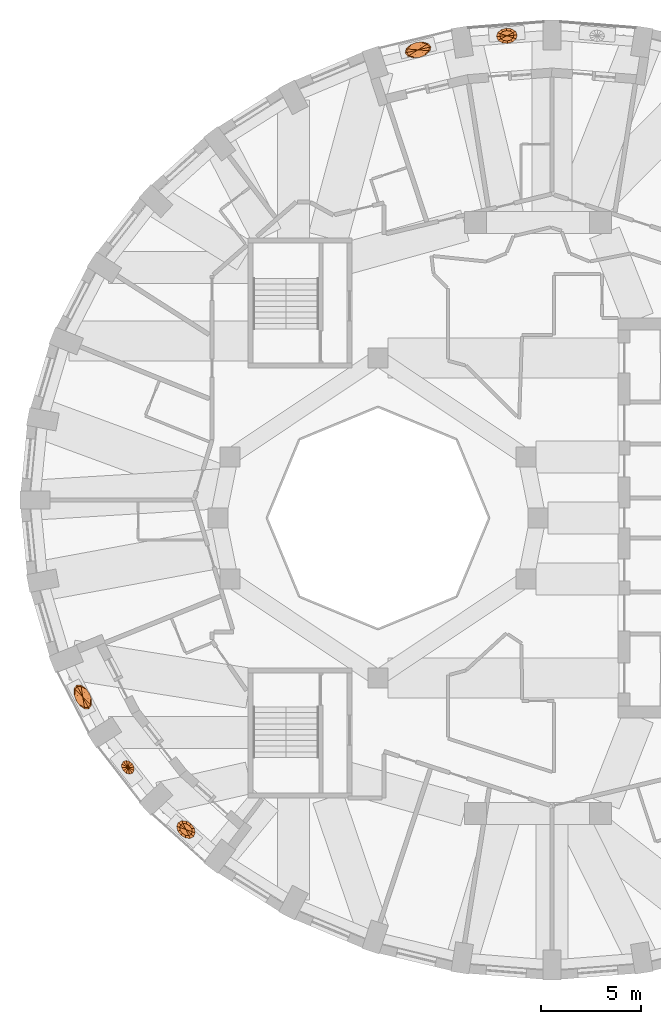
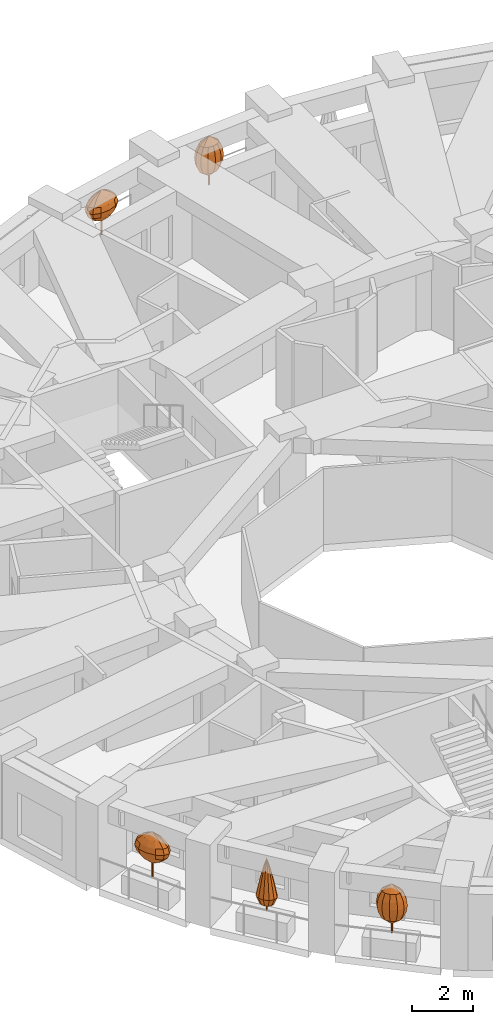
# One storey, part 11 of 12: 5 geographic elements.
"""IFC4 building model written with IfcOpenShell, lengths in metres."""

from ifc_helpers import new_model, si_unit, direction, frame, origin, place, context, subcontext, project, spatial, faceted_brep, material, constituent, constituent_set, type_object, element, save


model = new_model("IFC4")

# Units and contexts
model_context = context("Model", 3, precision=1e-05, world=origin(), true_north=direction((0.0, 1.0)))
body_context = subcontext(model_context, "Body", "Model", "MODEL_VIEW")
ifc_project = project(units=[si_unit("LENGTHUNIT", "METRE"), si_unit("AREAUNIT", "SQUARE_METRE"), si_unit("VOLUMEUNIT", "CUBIC_METRE"), si_unit("PLANEANGLEUNIT", "RADIAN"), si_unit("MASSUNIT", "GRAM", prefix="KILO")], contexts=[model_context])

# Site, building, storey
site_placement = place(None, origin())
site = spatial("IfcSite", under=ifc_project, at=site_placement, CompositionType="ELEMENT")
building_placement = place(site_placement, origin())
building = spatial("IfcBuilding", under=site, at=building_placement, Name="Taillehof Tower", CompositionType="ELEMENT")
storey_placement = place(building_placement, frame((0.0, 0.0, 222.199951171875)))
storey = spatial("IfcBuildingStorey", under=building, at=storey_placement, Name="L63", CompositionType="ELEMENT", Elevation=222.199951171875)

# Geographic elements
ifc_material_1 = material(Name="Tree bark", Category="timber")
ifc_constituent_1 = constituent(ifc_material_1, Name="Trunk", Category="timber")
ifc_material_2 = material(Name="Tree foliage")
ifc_constituent_2 = constituent(ifc_material_2, Name="Crown")
ifc_constituent_set_1 = constituent_set(constituents=[ifc_constituent_1, ifc_constituent_2], Name="Tree TR2 Fastigiate yew")
geographic_element_type_1 = type_object("IfcGeographicElementType", Name="Tree TR2 Fastigiate yew", PredefinedType="USERDEFINED", material=ifc_constituent_set_1)
geographic_element_1_placement = place(storey_placement, frame((-1.555419921875, 24.110595703125, 0.75)))
element("IfcGeographicElement", 1, at=geographic_element_1_placement, inside=storey, type_object=geographic_element_type_1, Name="Tree TR2 Fastigiate yew", ObjectType="TREE", PredefinedType="USERDEFINED", context=body_context, shape_type="Brep", body=[
    faceted_brep([(0.034912109375, 0.0, 0.0), (0.024658203125, 0.024658203125, 0.0), (0.024658203125, 0.024658203125, 0.909912109375), (0.034912109375, 0.0, 0.909912109375), (0.0, 0.034912109375, 0.0), (0.0, 0.034912109375, 0.909912109375), (-0.024658203125, 0.024658203125, 0.0), (-0.024658203125, 0.024658203125, 0.909912109375), (-0.034912109375, 0.0, 0.0), (-0.034912109375, 0.0, 0.909912109375), (-0.024658203125, -0.024658203125, 0.0), (-0.024658203125, -0.024658203125, 0.909912109375), (0.0, -0.034912109375, 0.0), (0.0, -0.034912109375, 0.909912109375), (0.024658203125, -0.024658203125, 0.0), (0.024658203125, -0.024658203125, 0.909912109375)], [[[0, 1, 2, 3]], [[1, 4, 5, 2]], [[4, 6, 7, 5]], [[6, 8, 9, 7]], [[8, 10, 11, 9]], [[10, 12, 13, 11]], [[12, 14, 15, 13]], [[14, 0, 3, 15]], [[14, 12, 10, 8, 6, 4, 1, 0]], [[3, 2, 5, 7, 9, 11, 13, 15]]]),
    faceted_brep([(0.0, 0.0, 0.35009765625), (-0.2978515625, -0.153564453125, 0.61669921875), (-0.355712890625, -0.028076171875, 0.61669921875), (-0.16015625, -0.238037109375, 0.61669921875), (0.020263671875, -0.2587890625, 0.61669921875), (0.195556640625, -0.2099609375, 0.61669921875), (0.318359375, -0.105224609375, 0.61669921875), (0.355712890625, 0.028076171875, 0.61669921875), (0.2978515625, 0.153564453125, 0.61669921875), (0.16015625, 0.238037109375, 0.61669921875), (-0.020263671875, 0.2587890625, 0.61669921875), (-0.195556640625, 0.2099609375, 0.61669921875), (-0.318359375, 0.105224609375, 0.61669921875), (-0.403076171875, -0.207763671875, 0.88330078125), (-0.481201171875, -0.037841796875, 0.88330078125), (-0.216796875, -0.322021484375, 0.88330078125), (0.027587890625, -0.35009765625, 0.88330078125), (0.264404296875, -0.2841796875, 0.88330078125), (0.4306640625, -0.14208984375, 0.88330078125), (0.481201171875, 0.037841796875, 0.88330078125), (0.403076171875, 0.207763671875, 0.88330078125), (0.216796875, 0.322021484375, 0.88330078125), (-0.027587890625, 0.35009765625, 0.88330078125), (-0.264404296875, 0.2841796875, 0.88330078125), (-0.4306640625, 0.14208984375, 0.88330078125), (-0.436279296875, -0.224853515625, 1.14990234375), (-0.52099609375, -0.041015625, 1.14990234375), (-0.234619140625, -0.3486328125, 1.14990234375), (0.02978515625, -0.37890625, 1.14990234375), (0.286376953125, -0.3076171875, 1.14990234375), (0.466064453125, -0.15380859375, 1.14990234375), (0.52099609375, 0.041015625, 1.14990234375), (0.436279296875, 0.224853515625, 1.14990234375), (0.234619140625, 0.3486328125, 1.14990234375), (-0.02978515625, 0.37890625, 1.14990234375), (-0.286376953125, 0.3076171875, 1.14990234375), (-0.466064453125, 0.15380859375, 1.14990234375), (-0.403076171875, -0.207763671875, 1.416748046875), (-0.481201171875, -0.037841796875, 1.416748046875), (-0.216796875, -0.322021484375, 1.416748046875), (0.027587890625, -0.35009765625, 1.416748046875), (0.264404296875, -0.2841796875, 1.416748046875), (0.4306640625, -0.14208984375, 1.416748046875), (0.481201171875, 0.037841796875, 1.416748046875), (0.403076171875, 0.207763671875, 1.416748046875), (0.216796875, 0.322021484375, 1.416748046875), (-0.027587890625, 0.35009765625, 1.416748046875), (-0.264404296875, 0.2841796875, 1.416748046875), (-0.4306640625, 0.14208984375, 1.416748046875), (-0.2978515625, -0.153564453125, 1.683349609375), (-0.355712890625, -0.028076171875, 1.683349609375), (-0.16015625, -0.238037109375, 1.683349609375), (0.020263671875, -0.2587890625, 1.683349609375), (0.195556640625, -0.2099609375, 1.683349609375), (0.318359375, -0.105224609375, 1.683349609375), (0.355712890625, 0.028076171875, 1.683349609375), (0.2978515625, 0.153564453125, 1.683349609375), (0.16015625, 0.238037109375, 1.683349609375), (-0.020263671875, 0.2587890625, 1.683349609375), (-0.195556640625, 0.2099609375, 1.683349609375), (-0.318359375, 0.105224609375, 1.683349609375), (0.0, 0.0, 1.949951171875)], [[[0, 1, 2]], [[0, 3, 1]], [[0, 4, 3]], [[0, 5, 4]], [[0, 6, 5]], [[0, 7, 6]], [[0, 8, 7]], [[0, 9, 8]], [[0, 10, 9]], [[0, 11, 10]], [[0, 12, 11]], [[0, 2, 12]], [[2, 1, 13, 14]], [[1, 3, 15, 13]], [[3, 4, 16, 15]], [[4, 5, 17, 16]], [[5, 6, 18, 17]], [[6, 7, 19, 18]], [[7, 8, 20, 19]], [[8, 9, 21, 20]], [[9, 10, 22, 21]], [[10, 11, 23, 22]], [[11, 12, 24, 23]], [[12, 2, 14, 24]], [[14, 13, 25, 26]], [[13, 15, 27, 25]], [[15, 16, 28, 27]], [[16, 17, 29, 28]], [[17, 18, 30, 29]], [[18, 19, 31, 30]], [[19, 20, 32, 31]], [[20, 21, 33, 32]], [[21, 22, 34, 33]], [[22, 23, 35, 34]], [[23, 24, 36, 35]], [[24, 14, 26, 36]], [[26, 25, 37, 38]], [[25, 27, 39, 37]], [[27, 28, 40, 39]], [[28, 29, 41, 40]], [[29, 30, 42, 41]], [[30, 31, 43, 42]], [[31, 32, 44, 43]], [[32, 33, 45, 44]], [[33, 34, 46, 45]], [[34, 35, 47, 46]], [[35, 36, 48, 47]], [[36, 26, 38, 48]], [[38, 37, 49, 50]], [[37, 39, 51, 49]], [[39, 40, 52, 51]], [[40, 41, 53, 52]], [[41, 42, 54, 53]], [[42, 43, 55, 54]], [[43, 44, 56, 55]], [[44, 45, 57, 56]], [[45, 46, 58, 57]], [[46, 47, 59, 58]], [[47, 48, 60, 59]], [[48, 38, 50, 60]], [[50, 49, 61]], [[49, 51, 61]], [[51, 52, 61]], [[52, 53, 61]], [[53, 54, 61]], [[54, 55, 61]], [[55, 56, 61]], [[56, 57, 61]], [[57, 58, 61]], [[58, 59, 61]], [[59, 60, 61]], [[60, 50, 61]]]),
])
geographic_element_2_placement = place(storey_placement, frame((-17.60205078125, -15.57861328125, 0.75)))
element("IfcGeographicElement", 2, at=geographic_element_2_placement, inside=storey, type_object=geographic_element_type_1, Name="Tree TR2 Fastigiate yew", ObjectType="TREE", PredefinedType="USERDEFINED", context=body_context, shape_type="Brep", body=[
    faceted_brep([(0.034912109375, 0.0, 0.0), (0.024658203125, 0.024658203125, 0.0), (0.024658203125, 0.024658203125, 0.909912109375), (0.034912109375, 0.0, 0.909912109375), (0.0, 0.034912109375, 0.0), (0.0, 0.034912109375, 0.909912109375), (-0.024658203125, 0.024658203125, 0.0), (-0.024658203125, 0.024658203125, 0.909912109375), (-0.034912109375, 0.0, 0.0), (-0.034912109375, 0.0, 0.909912109375), (-0.024658203125, -0.024658203125, 0.0), (-0.024658203125, -0.024658203125, 0.909912109375), (0.0, -0.034912109375, 0.0), (0.0, -0.034912109375, 0.909912109375), (0.024658203125, -0.024658203125, 0.0), (0.024658203125, -0.024658203125, 0.909912109375)], [[[0, 1, 2, 3]], [[1, 4, 5, 2]], [[4, 6, 7, 5]], [[6, 8, 9, 7]], [[8, 10, 11, 9]], [[10, 12, 13, 11]], [[12, 14, 15, 13]], [[14, 0, 3, 15]], [[14, 12, 10, 8, 6, 4, 1, 0]], [[3, 2, 5, 7, 9, 11, 13, 15]]]),
    faceted_brep([(0.0, 0.0, 0.35009765625), (0.316650390625, -0.110107421875, 0.61669921875), (0.265380859375, -0.23876953125, 0.61669921875), (0.282958984375, 0.0478515625, 0.61669921875), (0.173583984375, 0.19287109375, 0.61669921875), (0.017578125, 0.286376953125, 0.61669921875), (-0.14306640625, 0.30322265625, 0.61669921875), (-0.265380859375, 0.23876953125, 0.61669921875), (-0.316650390625, 0.110107421875, 0.61669921875), (-0.282958984375, -0.0478515625, 0.61669921875), (-0.173583984375, -0.19287109375, 0.61669921875), (-0.017578125, -0.286376953125, 0.61669921875), (0.14306640625, -0.30322265625, 0.61669921875), (0.42822265625, -0.149169921875, 0.88330078125), (0.35888671875, -0.32275390625, 0.88330078125), (0.3828125, 0.064697265625, 0.88330078125), (0.23486328125, 0.260986328125, 0.88330078125), (0.02392578125, 0.387451171875, 0.88330078125), (-0.193359375, 0.41015625, 0.88330078125), (-0.35888671875, 0.32275390625, 0.88330078125), (-0.42822265625, 0.149169921875, 0.88330078125), (-0.3828125, -0.064697265625, 0.88330078125), (-0.23486328125, -0.260986328125, 0.88330078125), (-0.02392578125, -0.387451171875, 0.88330078125), (0.193359375, -0.41015625, 0.88330078125), (0.46337890625, -0.161376953125, 1.14990234375), (0.388427734375, -0.349365234375, 1.14990234375), (0.414306640625, 0.06982421875, 1.14990234375), (0.254150390625, 0.282470703125, 1.14990234375), (0.02587890625, 0.41943359375, 1.14990234375), (-0.209228515625, 0.44384765625, 1.14990234375), (-0.388427734375, 0.349365234375, 1.14990234375), (-0.46337890625, 0.161376953125, 1.14990234375), (-0.414306640625, -0.06982421875, 1.14990234375), (-0.254150390625, -0.282470703125, 1.14990234375), (-0.02587890625, -0.41943359375, 1.14990234375), (0.209228515625, -0.44384765625, 1.14990234375), (0.42822265625, -0.149169921875, 1.416748046875), (0.35888671875, -0.32275390625, 1.416748046875), (0.3828125, 0.064697265625, 1.416748046875), (0.23486328125, 0.260986328125, 1.416748046875), (0.02392578125, 0.387451171875, 1.416748046875), (-0.193359375, 0.41015625, 1.416748046875), (-0.35888671875, 0.32275390625, 1.416748046875), (-0.42822265625, 0.149169921875, 1.416748046875), (-0.3828125, -0.064697265625, 1.416748046875), (-0.23486328125, -0.260986328125, 1.416748046875), (-0.02392578125, -0.387451171875, 1.416748046875), (0.193359375, -0.41015625, 1.416748046875), (0.316650390625, -0.110107421875, 1.683349609375), (0.265380859375, -0.23876953125, 1.683349609375), (0.282958984375, 0.0478515625, 1.683349609375), (0.173583984375, 0.19287109375, 1.683349609375), (0.017578125, 0.286376953125, 1.683349609375), (-0.14306640625, 0.30322265625, 1.683349609375), (-0.265380859375, 0.23876953125, 1.683349609375), (-0.316650390625, 0.110107421875, 1.683349609375), (-0.282958984375, -0.0478515625, 1.683349609375), (-0.173583984375, -0.19287109375, 1.683349609375), (-0.017578125, -0.286376953125, 1.683349609375), (0.14306640625, -0.30322265625, 1.683349609375), (0.0, 0.0, 1.949951171875)], [[[0, 1, 2]], [[0, 3, 1]], [[0, 4, 3]], [[0, 5, 4]], [[0, 6, 5]], [[0, 7, 6]], [[0, 8, 7]], [[0, 9, 8]], [[0, 10, 9]], [[0, 11, 10]], [[0, 12, 11]], [[0, 2, 12]], [[2, 1, 13, 14]], [[1, 3, 15, 13]], [[3, 4, 16, 15]], [[4, 5, 17, 16]], [[5, 6, 18, 17]], [[6, 7, 19, 18]], [[7, 8, 20, 19]], [[8, 9, 21, 20]], [[9, 10, 22, 21]], [[10, 11, 23, 22]], [[11, 12, 24, 23]], [[12, 2, 14, 24]], [[14, 13, 25, 26]], [[13, 15, 27, 25]], [[15, 16, 28, 27]], [[16, 17, 29, 28]], [[17, 18, 30, 29]], [[18, 19, 31, 30]], [[19, 20, 32, 31]], [[20, 21, 33, 32]], [[21, 22, 34, 33]], [[22, 23, 35, 34]], [[23, 24, 36, 35]], [[24, 14, 26, 36]], [[26, 25, 37, 38]], [[25, 27, 39, 37]], [[27, 28, 40, 39]], [[28, 29, 41, 40]], [[29, 30, 42, 41]], [[30, 31, 43, 42]], [[31, 32, 44, 43]], [[32, 33, 45, 44]], [[33, 34, 46, 45]], [[34, 35, 47, 46]], [[35, 36, 48, 47]], [[36, 26, 38, 48]], [[38, 37, 49, 50]], [[37, 39, 51, 49]], [[39, 40, 52, 51]], [[40, 41, 53, 52]], [[41, 42, 54, 53]], [[42, 43, 55, 54]], [[43, 44, 56, 55]], [[44, 45, 57, 56]], [[45, 46, 58, 57]], [[46, 47, 59, 58]], [[47, 48, 60, 59]], [[48, 38, 50, 60]], [[50, 49, 61]], [[49, 51, 61]], [[51, 52, 61]], [[52, 53, 61]], [[53, 54, 61]], [[54, 55, 61]], [[55, 56, 61]], [[56, 57, 61]], [[57, 58, 61]], [[58, 59, 61]], [[59, 60, 61]], [[60, 50, 61]]]),
])
ifc_material_3 = material(Name="Tree bark", Category="timber")
ifc_constituent_3 = constituent(ifc_material_3, Name="Trunk", Category="timber")
ifc_material_4 = material(Name="Tree foliage")
ifc_constituent_4 = constituent(ifc_material_4, Name="Crown")
ifc_constituent_set_2 = constituent_set(constituents=[ifc_constituent_3, ifc_constituent_4], Name="Tree TR4 Sea buckthorn standard")
geographic_element_type_2 = type_object("IfcGeographicElementType", Name="Tree TR4 Sea buckthorn standard", PredefinedType="USERDEFINED", material=ifc_constituent_set_2)
geographic_element_3_placement = place(storey_placement, frame((-5.997802734375, 23.406005859375, 0.75)))
element("IfcGeographicElement", 3, at=geographic_element_3_placement, inside=storey, type_object=geographic_element_type_2, Name="Tree TR4 Sea buckthorn standard", ObjectType="TREE", PredefinedType="USERDEFINED", context=body_context, shape_type="Brep", body=[
    faceted_brep([(0.030029296875, 0.0, 0.0), (0.021240234375, 0.021240234375, 0.0), (0.021240234375, 0.021240234375, 0.98095703125), (0.030029296875, 0.0, 0.98095703125), (0.0, 0.030029296875, 0.0), (0.0, 0.030029296875, 0.98095703125), (-0.021240234375, 0.021240234375, 0.0), (-0.021240234375, 0.021240234375, 0.98095703125), (-0.030029296875, 0.0, 0.0), (-0.030029296875, 0.0, 0.98095703125), (-0.021240234375, -0.021240234375, 0.0), (-0.021240234375, -0.021240234375, 0.98095703125), (0.0, -0.030029296875, 0.0), (0.0, -0.030029296875, 0.98095703125), (0.021240234375, -0.021240234375, 0.0), (0.021240234375, -0.021240234375, 0.98095703125)], [[[0, 1, 2, 3]], [[1, 4, 5, 2]], [[4, 6, 7, 5]], [[6, 8, 9, 7]], [[8, 10, 11, 9]], [[10, 12, 13, 11]], [[12, 14, 15, 13]], [[14, 0, 3, 15]], [[14, 12, 10, 8, 6, 4, 1, 0]], [[3, 2, 5, 7, 9, 11, 13, 15]]]),
    faceted_brep([(0.0, 0.0, 0.5400390625), (-0.2958984375, -0.18359375, 0.75), (-0.371337890625, -0.089599609375, 0.75), (-0.141357421875, -0.228515625, 0.75), (0.051025390625, -0.212158203125, 0.75), (0.22998046875, -0.138916015625, 0.75), (0.34716796875, -0.028564453125, 0.75), (0.371337890625, 0.089599609375, 0.75), (0.2958984375, 0.18359375, 0.75), (0.141357421875, 0.228515625, 0.75), (-0.051025390625, 0.212158203125, 0.75), (-0.22998046875, 0.138916015625, 0.75), (-0.34716796875, 0.028564453125, 0.75), (-0.459228515625, -0.284912109375, 0.9599609375), (-0.576171875, -0.138916015625, 0.9599609375), (-0.219482421875, -0.3544921875, 0.9599609375), (0.079345703125, -0.329345703125, 0.9599609375), (0.35693359375, -0.2158203125, 0.9599609375), (0.538818359375, -0.04443359375, 0.9599609375), (0.576171875, 0.138916015625, 0.9599609375), (0.459228515625, 0.284912109375, 0.9599609375), (0.219482421875, 0.3544921875, 0.9599609375), (-0.079345703125, 0.329345703125, 0.9599609375), (-0.35693359375, 0.2158203125, 0.9599609375), (-0.538818359375, 0.04443359375, 0.9599609375), (-0.515380859375, -0.319580078125, 1.169921875), (-0.646484375, -0.15576171875, 1.169921875), (-0.24609375, -0.39794921875, 1.169921875), (0.089111328125, -0.369384765625, 1.169921875), (0.400390625, -0.241943359375, 1.169921875), (0.6044921875, -0.0498046875, 1.169921875), (0.646484375, 0.15576171875, 1.169921875), (0.515380859375, 0.319580078125, 1.169921875), (0.24609375, 0.39794921875, 1.169921875), (-0.089111328125, 0.369384765625, 1.169921875), (-0.400390625, 0.241943359375, 1.169921875), (-0.6044921875, 0.0498046875, 1.169921875), (-0.459228515625, -0.284912109375, 1.3798828125), (-0.576171875, -0.138916015625, 1.3798828125), (-0.219482421875, -0.3544921875, 1.3798828125), (0.079345703125, -0.329345703125, 1.3798828125), (0.35693359375, -0.2158203125, 1.3798828125), (0.538818359375, -0.04443359375, 1.3798828125), (0.576171875, 0.138916015625, 1.3798828125), (0.459228515625, 0.284912109375, 1.3798828125), (0.219482421875, 0.3544921875, 1.3798828125), (-0.079345703125, 0.329345703125, 1.3798828125), (-0.35693359375, 0.2158203125, 1.3798828125), (-0.538818359375, 0.04443359375, 1.3798828125), (-0.2958984375, -0.18359375, 1.590087890625), (-0.371337890625, -0.089599609375, 1.590087890625), (-0.141357421875, -0.228515625, 1.590087890625), (0.051025390625, -0.212158203125, 1.590087890625), (0.22998046875, -0.138916015625, 1.590087890625), (0.34716796875, -0.028564453125, 1.590087890625), (0.371337890625, 0.089599609375, 1.590087890625), (0.2958984375, 0.18359375, 1.590087890625), (0.141357421875, 0.228515625, 1.590087890625), (-0.051025390625, 0.212158203125, 1.590087890625), (-0.22998046875, 0.138916015625, 1.590087890625), (-0.34716796875, 0.028564453125, 1.590087890625), (0.0, 0.0, 1.800048828125)], [[[0, 1, 2]], [[0, 3, 1]], [[0, 4, 3]], [[0, 5, 4]], [[0, 6, 5]], [[0, 7, 6]], [[0, 8, 7]], [[0, 9, 8]], [[0, 10, 9]], [[0, 11, 10]], [[0, 12, 11]], [[0, 2, 12]], [[2, 1, 13, 14]], [[1, 3, 15, 13]], [[3, 4, 16, 15]], [[4, 5, 17, 16]], [[5, 6, 18, 17]], [[6, 7, 19, 18]], [[7, 8, 20, 19]], [[8, 9, 21, 20]], [[9, 10, 22, 21]], [[10, 11, 23, 22]], [[11, 12, 24, 23]], [[12, 2, 14, 24]], [[14, 13, 25, 26]], [[13, 15, 27, 25]], [[15, 16, 28, 27]], [[16, 17, 29, 28]], [[17, 18, 30, 29]], [[18, 19, 31, 30]], [[19, 20, 32, 31]], [[20, 21, 33, 32]], [[21, 22, 34, 33]], [[22, 23, 35, 34]], [[23, 24, 36, 35]], [[24, 14, 26, 36]], [[26, 25, 37, 38]], [[25, 27, 39, 37]], [[27, 28, 40, 39]], [[28, 29, 41, 40]], [[29, 30, 42, 41]], [[30, 31, 43, 42]], [[31, 32, 44, 43]], [[32, 33, 45, 44]], [[33, 34, 46, 45]], [[34, 35, 47, 46]], [[35, 36, 48, 47]], [[36, 26, 38, 48]], [[38, 37, 49, 50]], [[37, 39, 51, 49]], [[39, 40, 52, 51]], [[40, 41, 53, 52]], [[41, 42, 54, 53]], [[42, 43, 55, 54]], [[43, 44, 56, 55]], [[44, 45, 57, 56]], [[45, 46, 58, 57]], [[46, 47, 59, 58]], [[47, 48, 60, 59]], [[48, 38, 50, 60]], [[50, 49, 61]], [[49, 51, 61]], [[51, 52, 61]], [[52, 53, 61]], [[53, 54, 61]], [[54, 55, 61]], [[55, 56, 61]], [[56, 57, 61]], [[57, 58, 61]], [[58, 59, 61]], [[59, 60, 61]], [[60, 50, 61]]]),
])
geographic_element_4_placement = place(storey_placement, frame((-22.760986328125, -8.9501953125, 0.75)))
element("IfcGeographicElement", 4, at=geographic_element_4_placement, inside=storey, type_object=geographic_element_type_2, Name="Tree TR4 Sea buckthorn standard", ObjectType="TREE", PredefinedType="USERDEFINED", context=body_context, shape_type="Brep", body=[
    faceted_brep([(0.030029296875, 0.0, 0.0), (0.021240234375, 0.021240234375, 0.0), (0.021240234375, 0.021240234375, 0.98095703125), (0.030029296875, 0.0, 0.98095703125), (0.0, 0.030029296875, 0.0), (0.0, 0.030029296875, 0.98095703125), (-0.021240234375, 0.021240234375, 0.0), (-0.021240234375, 0.021240234375, 0.98095703125), (-0.030029296875, 0.0, 0.0), (-0.030029296875, 0.0, 0.98095703125), (-0.021240234375, -0.021240234375, 0.0), (-0.021240234375, -0.021240234375, 0.98095703125), (0.0, -0.030029296875, 0.0), (0.0, -0.030029296875, 0.98095703125), (0.021240234375, -0.021240234375, 0.0), (0.021240234375, -0.021240234375, 0.98095703125)], [[[0, 1, 2, 3]], [[1, 4, 5, 2]], [[4, 6, 7, 5]], [[6, 8, 9, 7]], [[8, 10, 11, 9]], [[10, 12, 13, 11]], [[12, 14, 15, 13]], [[14, 0, 3, 15]], [[14, 12, 10, 8, 6, 4, 1, 0]], [[3, 2, 5, 7, 9, 11, 13, 15]]]),
    faceted_brep([(0.0, 0.0, 0.5400390625), (0.2490234375, -0.243408203125, 0.75), (0.17578125, -0.339111328125, 0.75), (0.255615234375, -0.08251953125, 0.75), (0.19384765625, 0.100341796875, 0.75), (0.079833984375, 0.256591796875, 0.75), (-0.055419921875, 0.343994140625, 0.75), (-0.17578125, 0.339111328125, 0.75), (-0.2490234375, 0.243408203125, 0.75), (-0.255615234375, 0.08251953125, 0.75), (-0.19384765625, -0.100341796875, 0.75), (-0.079833984375, -0.256591796875, 0.75), (0.055419921875, -0.343994140625, 0.75), (0.386474609375, -0.377685546875, 0.9599609375), (0.272705078125, -0.526123046875, 0.9599609375), (0.396728515625, -0.128173828125, 0.9599609375), (0.30078125, 0.15576171875, 0.9599609375), (0.1240234375, 0.398193359375, 0.9599609375), (-0.0859375, 0.53369140625, 0.9599609375), (-0.272705078125, 0.526123046875, 0.9599609375), (-0.386474609375, 0.377685546875, 0.9599609375), (-0.396728515625, 0.128173828125, 0.9599609375), (-0.30078125, -0.15576171875, 0.9599609375), (-0.1240234375, -0.398193359375, 0.9599609375), (0.0859375, -0.53369140625, 0.9599609375), (0.433837890625, -0.423828125, 1.169921875), (0.30615234375, -0.59033203125, 1.169921875), (0.445068359375, -0.143798828125, 1.169921875), (0.33740234375, 0.1748046875, 1.169921875), (0.13916015625, 0.446533203125, 1.169921875), (-0.096435546875, 0.5986328125, 1.169921875), (-0.30615234375, 0.59033203125, 1.169921875), (-0.433837890625, 0.423828125, 1.169921875), (-0.445068359375, 0.143798828125, 1.169921875), (-0.33740234375, -0.1748046875, 1.169921875), (-0.13916015625, -0.446533203125, 1.169921875), (0.096435546875, -0.5986328125, 1.169921875), (0.386474609375, -0.377685546875, 1.3798828125), (0.272705078125, -0.526123046875, 1.3798828125), (0.396728515625, -0.128173828125, 1.3798828125), (0.30078125, 0.15576171875, 1.3798828125), (0.1240234375, 0.398193359375, 1.3798828125), (-0.0859375, 0.53369140625, 1.3798828125), (-0.272705078125, 0.526123046875, 1.3798828125), (-0.386474609375, 0.377685546875, 1.3798828125), (-0.396728515625, 0.128173828125, 1.3798828125), (-0.30078125, -0.15576171875, 1.3798828125), (-0.1240234375, -0.398193359375, 1.3798828125), (0.0859375, -0.53369140625, 1.3798828125), (0.2490234375, -0.243408203125, 1.590087890625), (0.17578125, -0.339111328125, 1.590087890625), (0.255615234375, -0.08251953125, 1.590087890625), (0.19384765625, 0.100341796875, 1.590087890625), (0.079833984375, 0.256591796875, 1.590087890625), (-0.055419921875, 0.343994140625, 1.590087890625), (-0.17578125, 0.339111328125, 1.590087890625), (-0.2490234375, 0.243408203125, 1.590087890625), (-0.255615234375, 0.08251953125, 1.590087890625), (-0.19384765625, -0.100341796875, 1.590087890625), (-0.079833984375, -0.256591796875, 1.590087890625), (0.055419921875, -0.343994140625, 1.590087890625), (0.0, 0.0, 1.800048828125)], [[[0, 1, 2]], [[0, 3, 1]], [[0, 4, 3]], [[0, 5, 4]], [[0, 6, 5]], [[0, 7, 6]], [[0, 8, 7]], [[0, 9, 8]], [[0, 10, 9]], [[0, 11, 10]], [[0, 12, 11]], [[0, 2, 12]], [[2, 1, 13, 14]], [[1, 3, 15, 13]], [[3, 4, 16, 15]], [[4, 5, 17, 16]], [[5, 6, 18, 17]], [[6, 7, 19, 18]], [[7, 8, 20, 19]], [[8, 9, 21, 20]], [[9, 10, 22, 21]], [[10, 11, 23, 22]], [[11, 12, 24, 23]], [[12, 2, 14, 24]], [[14, 13, 25, 26]], [[13, 15, 27, 25]], [[15, 16, 28, 27]], [[16, 17, 29, 28]], [[17, 18, 30, 29]], [[18, 19, 31, 30]], [[19, 20, 32, 31]], [[20, 21, 33, 32]], [[21, 22, 34, 33]], [[22, 23, 35, 34]], [[23, 24, 36, 35]], [[24, 14, 26, 36]], [[26, 25, 37, 38]], [[25, 27, 39, 37]], [[27, 28, 40, 39]], [[28, 29, 41, 40]], [[29, 30, 42, 41]], [[30, 31, 43, 42]], [[31, 32, 44, 43]], [[32, 33, 45, 44]], [[33, 34, 46, 45]], [[34, 35, 47, 46]], [[35, 36, 48, 47]], [[36, 26, 38, 48]], [[38, 37, 49, 50]], [[37, 39, 51, 49]], [[39, 40, 52, 51]], [[40, 41, 53, 52]], [[41, 42, 54, 53]], [[42, 43, 55, 54]], [[43, 44, 56, 55]], [[44, 45, 57, 56]], [[45, 46, 58, 57]], [[46, 47, 59, 58]], [[47, 48, 60, 59]], [[48, 38, 50, 60]], [[50, 49, 61]], [[49, 51, 61]], [[51, 52, 61]], [[52, 53, 61]], [[53, 54, 61]], [[54, 55, 61]], [[55, 56, 61]], [[56, 57, 61]], [[57, 58, 61]], [[58, 59, 61]], [[59, 60, 61]], [[60, 50, 61]]]),
])
ifc_material_5 = material(Name="Tree bark", Category="timber")
ifc_constituent_5 = constituent(ifc_material_5, Name="Trunk", Category="timber")
ifc_material_6 = material(Name="Tree foliage")
ifc_constituent_6 = constituent(ifc_material_6, Name="Crown")
ifc_constituent_set_3 = constituent_set(constituents=[ifc_constituent_5, ifc_constituent_6], Name="Tree TR5 Columnar juniper")
geographic_element_type_3 = type_object("IfcGeographicElementType", Name="Tree TR5 Columnar juniper", PredefinedType="USERDEFINED", material=ifc_constituent_set_3)
geographic_element_5_placement = place(storey_placement, frame((-20.50341796875, -12.468017578125, 0.75)))
element("IfcGeographicElement", 5, at=geographic_element_5_placement, inside=storey, type_object=geographic_element_type_3, Name="Tree TR5 Columnar juniper", ObjectType="TREE", PredefinedType="USERDEFINED", context=body_context, shape_type="Brep", body=[
    faceted_brep([(0.02490234375, 0.0, 0.0), (0.017578125, 0.017578125, 0.0), (0.017578125, 0.017578125, 0.929931640625), (0.02490234375, 0.0, 0.929931640625), (0.0, 0.02490234375, 0.0), (0.0, 0.02490234375, 0.929931640625), (-0.017578125, 0.017578125, 0.0), (-0.017578125, 0.017578125, 0.929931640625), (-0.02490234375, 0.0, 0.0), (-0.02490234375, 0.0, 0.929931640625), (-0.017578125, -0.017578125, 0.0), (-0.017578125, -0.017578125, 0.929931640625), (0.0, -0.02490234375, 0.0), (0.0, -0.02490234375, 0.929931640625), (0.017578125, -0.017578125, 0.0), (0.017578125, -0.017578125, 0.929931640625)], [[[0, 1, 2, 3]], [[1, 4, 5, 2]], [[4, 6, 7, 5]], [[6, 8, 9, 7]], [[8, 10, 11, 9]], [[10, 12, 13, 11]], [[12, 14, 15, 13]], [[14, 0, 3, 15]], [[14, 12, 10, 8, 6, 4, 1, 0]], [[3, 2, 5, 7, 9, 11, 13, 15]]]),
    faceted_brep([(0.152099609375, -0.1953125, 0.300048828125), (0.20751953125, -0.110107421875, 0.300048828125), (0.309814453125, -0.164306640625, 0.60009765625), (0.22705078125, -0.29150390625, 0.60009765625), (0.20751953125, 0.004638671875, 0.300048828125), (0.309814453125, 0.007080078125, 0.60009765625), (0.15185546875, 0.1181640625, 0.300048828125), (0.226806640625, 0.176513671875, 0.60009765625), (0.055419921875, 0.199951171875, 0.300048828125), (0.0830078125, 0.298583984375, 0.60009765625), (-0.0556640625, 0.228271484375, 0.300048828125), (-0.083251953125, 0.3408203125, 0.60009765625), (-0.152099609375, 0.1953125, 0.300048828125), (-0.22705078125, 0.29150390625, 0.60009765625), (-0.20751953125, 0.110107421875, 0.300048828125), (-0.309814453125, 0.164306640625, 0.60009765625), (-0.20751953125, -0.004638671875, 0.300048828125), (-0.309814453125, -0.007080078125, 0.60009765625), (-0.15185546875, -0.1181640625, 0.300048828125), (-0.226806640625, -0.176513671875, 0.60009765625), (-0.055419921875, -0.199951171875, 0.300048828125), (-0.0830078125, -0.298583984375, 0.60009765625), (0.0556640625, -0.228271484375, 0.300048828125), (0.083251953125, -0.3408203125, 0.60009765625), (0.25927734375, -0.137451171875, 0.89990234375), (0.18994140625, -0.243896484375, 0.89990234375), (0.25927734375, 0.005859375, 0.89990234375), (0.189697265625, 0.147705078125, 0.89990234375), (0.0693359375, 0.249755859375, 0.89990234375), (-0.069580078125, 0.28515625, 0.89990234375), (-0.18994140625, 0.243896484375, 0.89990234375), (-0.25927734375, 0.137451171875, 0.89990234375), (-0.25927734375, -0.005859375, 0.89990234375), (-0.189697265625, -0.147705078125, 0.89990234375), (-0.0693359375, -0.249755859375, 0.89990234375), (0.069580078125, -0.28515625, 0.89990234375), (0.2060546875, -0.109130859375, 1.199951171875), (0.15087890625, -0.19384765625, 1.199951171875), (0.205810546875, 0.004638671875, 1.199951171875), (0.150634765625, 0.1171875, 1.199951171875), (0.05517578125, 0.198486328125, 1.199951171875), (-0.05517578125, 0.2265625, 1.199951171875), (-0.15087890625, 0.19384765625, 1.199951171875), (-0.2060546875, 0.109130859375, 1.199951171875), (-0.205810546875, -0.004638671875, 1.199951171875), (-0.150634765625, -0.1171875, 1.199951171875), (-0.05517578125, -0.198486328125, 1.199951171875), (0.05517578125, -0.2265625, 1.199951171875), (0.14892578125, -0.078857421875, 1.5), (0.109130859375, -0.14013671875, 1.5), (0.14892578125, 0.00341796875, 1.5), (0.10888671875, 0.084716796875, 1.5), (0.039794921875, 0.1435546875, 1.5), (-0.0400390625, 0.163818359375, 1.5), (-0.109130859375, 0.14013671875, 1.5), (-0.14892578125, 0.078857421875, 1.5), (-0.14892578125, -0.00341796875, 1.5), (-0.10888671875, -0.084716796875, 1.5), (-0.039794921875, -0.1435546875, 1.5), (0.0400390625, -0.163818359375, 1.5), (0.08544921875, -0.04541015625, 1.800048828125), (0.062744140625, -0.08056640625, 1.800048828125), (0.08544921875, 0.001953125, 1.800048828125), (0.0625, 0.048828125, 1.800048828125), (0.02294921875, 0.08251953125, 1.800048828125), (-0.02294921875, 0.093994140625, 1.800048828125), (-0.062744140625, 0.08056640625, 1.800048828125), (-0.08544921875, 0.04541015625, 1.800048828125), (-0.08544921875, -0.001953125, 1.800048828125), (-0.0625, -0.048828125, 1.800048828125), (-0.02294921875, -0.08251953125, 1.800048828125), (0.02294921875, -0.093994140625, 1.800048828125), (0.0, 0.0, 2.10009765625)], [[[0, 1, 2, 3]], [[1, 4, 5, 2]], [[4, 6, 7, 5]], [[6, 8, 9, 7]], [[8, 10, 11, 9]], [[10, 12, 13, 11]], [[12, 14, 15, 13]], [[14, 16, 17, 15]], [[16, 18, 19, 17]], [[18, 20, 21, 19]], [[20, 22, 23, 21]], [[22, 0, 3, 23]], [[3, 2, 24, 25]], [[2, 5, 26, 24]], [[5, 7, 27, 26]], [[7, 9, 28, 27]], [[9, 11, 29, 28]], [[11, 13, 30, 29]], [[13, 15, 31, 30]], [[15, 17, 32, 31]], [[17, 19, 33, 32]], [[19, 21, 34, 33]], [[21, 23, 35, 34]], [[23, 3, 25, 35]], [[25, 24, 36, 37]], [[24, 26, 38, 36]], [[26, 27, 39, 38]], [[27, 28, 40, 39]], [[28, 29, 41, 40]], [[29, 30, 42, 41]], [[30, 31, 43, 42]], [[31, 32, 44, 43]], [[32, 33, 45, 44]], [[33, 34, 46, 45]], [[34, 35, 47, 46]], [[35, 25, 37, 47]], [[37, 36, 48, 49]], [[36, 38, 50, 48]], [[38, 39, 51, 50]], [[39, 40, 52, 51]], [[40, 41, 53, 52]], [[41, 42, 54, 53]], [[42, 43, 55, 54]], [[43, 44, 56, 55]], [[44, 45, 57, 56]], [[45, 46, 58, 57]], [[46, 47, 59, 58]], [[47, 37, 49, 59]], [[49, 48, 60, 61]], [[48, 50, 62, 60]], [[50, 51, 63, 62]], [[51, 52, 64, 63]], [[52, 53, 65, 64]], [[53, 54, 66, 65]], [[54, 55, 67, 66]], [[55, 56, 68, 67]], [[56, 57, 69, 68]], [[57, 58, 70, 69]], [[58, 59, 71, 70]], [[59, 49, 61, 71]], [[61, 60, 72]], [[60, 62, 72]], [[62, 63, 72]], [[63, 64, 72]], [[64, 65, 72]], [[65, 66, 72]], [[66, 67, 72]], [[67, 68, 72]], [[68, 69, 72]], [[69, 70, 72]], [[70, 71, 72]], [[71, 61, 72]], [[22, 20, 18, 16, 14, 12, 10, 8, 6, 4, 1, 0]]]),
])

save(model, "model.ifc")
